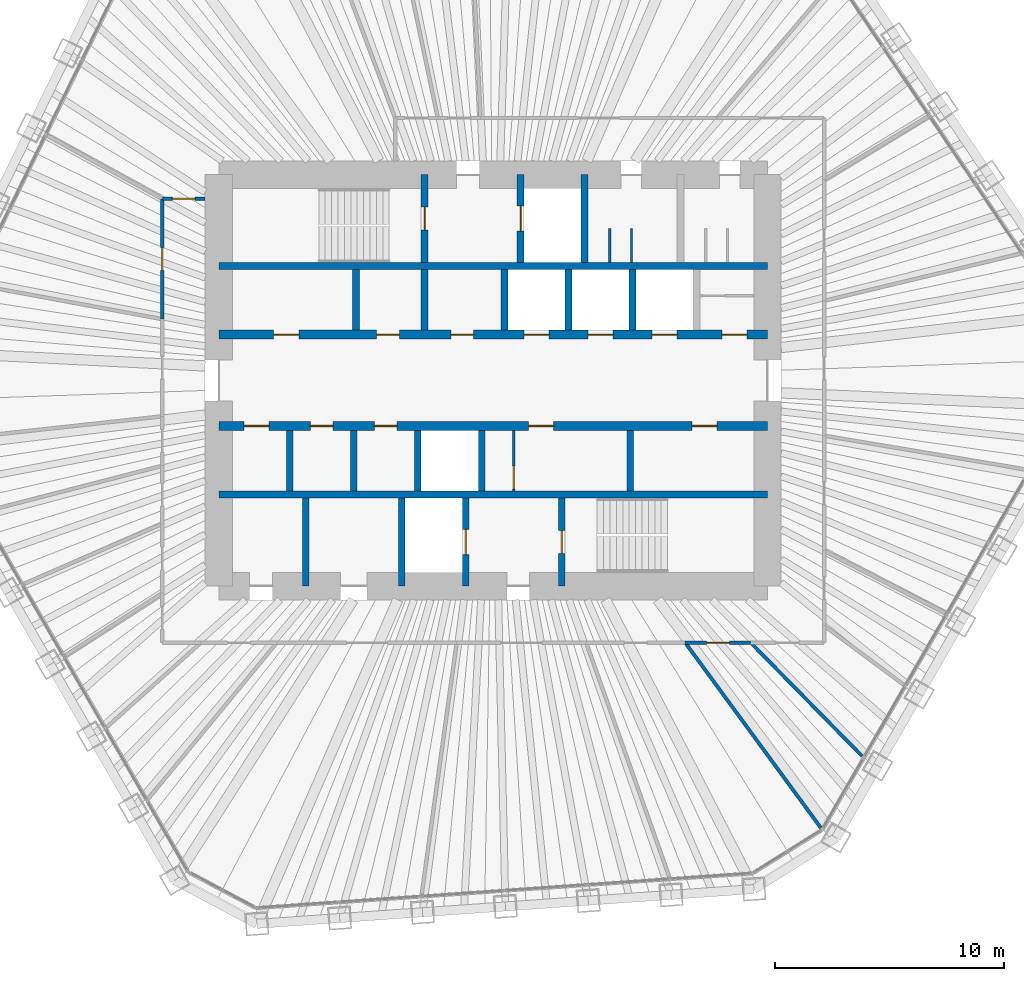
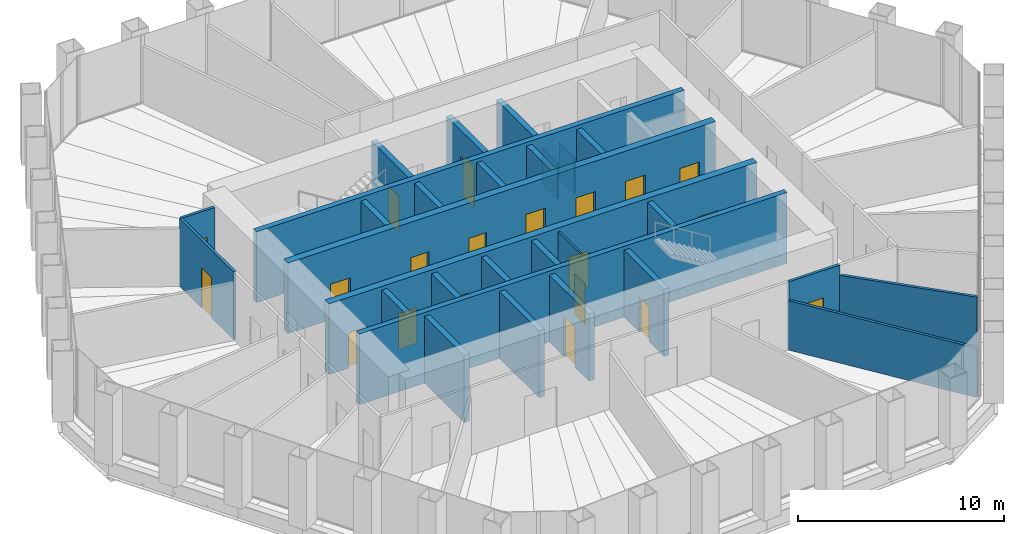
# One storey, part 11 of 14: 29 walls, 20 doors, 20 openings.
"""IFC4 building model written with IfcOpenShell, lengths in metres."""

from ifc_helpers import new_model, si_unit, direction, frame, frame_2d, origin, place, context, subcontext, project, spatial, rectangle, extrude, material, layer, layer_set, type_object, element, fill, save


model = new_model("IFC4")

# Units and contexts
model_context = context("Model", 3, precision=1e-05, world=origin(), true_north=direction((0.0, 1.0)))
body_context = subcontext(model_context, "Body", "Model", "MODEL_VIEW")
ifc_project = project(units=[si_unit("LENGTHUNIT", "METRE"), si_unit("AREAUNIT", "SQUARE_METRE"), si_unit("VOLUMEUNIT", "CUBIC_METRE"), si_unit("PLANEANGLEUNIT", "RADIAN"), si_unit("MASSUNIT", "GRAM", prefix="KILO")], contexts=[model_context])

# Site, building, storey
site_placement = place(None, origin())
site = spatial("IfcSite", under=ifc_project, at=site_placement, CompositionType="ELEMENT")
building_placement = place(site_placement, origin())
building = spatial("IfcBuilding", under=site, at=building_placement, Name="Qingtian Harvest Tower", CompositionType="ELEMENT")
storey_placement = place(building_placement, frame((0.0, 0.0, 239.199951171875)))
storey = spatial("IfcBuildingStorey", under=building, at=storey_placement, Name="L52", CompositionType="ELEMENT", Elevation=239.199951171875)

# Walls
ifc_material_1 = material(Name="Concrete fc' 70 MPa", Category="concrete")
ifc_layer_1 = layer(ifc_material_1, 0.300048828125)
ifc_layer_set_1 = layer_set([ifc_layer_1], Name="Core inner wall RC5 300")
wall_type_1 = type_object("IfcWallType", Name="Core inner wall RC5 300", PredefinedType="SHEAR", material=ifc_layer_set_1)
for number, where, z_axis, x_axis, name in (
    (1, (-12.0, 5.0, 0.0), (0.0, 0.0, 1.0), (1.0, 0.0, 0.0), "Core wall IN5 L52"),
    (2, (-12.0, -5.0, 0.0), (0.0, 0.0, 1.0), (1.0, 0.0, 0.0), "Core wall IS5 L52"),
):
    element("IfcWall", number, at=place(storey_placement, frame(where, z_axis=z_axis, x_axis=x_axis)), inside=storey, type_object=wall_type_1, Name=name, PredefinedType="SHEAR", context=body_context, shape_type="SweptSolid", body=[
        extrude(rectangle(XDim=24.0, YDim=0.300048828125, at=frame_2d((12.0, 0.0))), origin(), (0.0, 0.0, 1.0), 4.199951171875),
    ])

# Wall, openings, doors
ifc_material_2 = material(Name="Concrete fc' 70 MPa", Category="concrete")
ifc_layer_2 = layer(ifc_material_2, 0.39990234375)
ifc_layer_set_2 = layer_set([ifc_layer_2], Name="Core inner web RC6 400")
wall_type_2 = type_object("IfcWallType", Name="Core inner web RC6 400", PredefinedType="SHEAR", material=ifc_layer_set_2)
wall_1_placement = place(storey_placement, frame((-12.0, 2.0, 0.0), z_axis=(0.0, 0.0, 1.0), x_axis=(1.0, 0.0, 0.0)))
wall_1 = element("IfcWall", 3, at=wall_1_placement, inside=storey, type_object=wall_type_2, Name="Core wall IN2 L52", PredefinedType="SHEAR", context=body_context, shape_type="SweptSolid", body=[
    extrude(rectangle(XDim=24.0, YDim=0.39990234375, at=frame_2d((12.0, 0.0))), origin(), (0.0, 0.0, 1.0), 4.199951171875),
])
opening_1_placement = place(wall_1_placement, frame((2.39990234375, 0.0, 0.0)))
opening_1 = element("IfcOpeningElement", 4, at=opening_1_placement, cuts=wall_1, Name="Opening FD4", PredefinedType="OPENING", context=body_context, shape_type="SweptSolid", body=[
    extrude(rectangle(XDim=1.10009765625, YDim=2.10009765625, at=frame_2d((0.550048828125, 1.050048828125))), frame((0.0, 0.2099609375, 0.0), z_axis=(0.0, -1.0, 0.0), x_axis=(1.0, 0.0, 0.0)), (0.0, 0.0, 1.0), 0.419921875),
])
opening_2_placement = place(wall_1_placement, frame((22.0, 0.0, 0.0)))
opening_2 = element("IfcOpeningElement", 5, at=opening_2_placement, cuts=wall_1, Name="Opening FD4", PredefinedType="OPENING", context=body_context, shape_type="SweptSolid", body=[
    extrude(rectangle(XDim=1.10009765625, YDim=2.10009765625, at=frame_2d((0.550048828125, 1.050048828125))), frame((0.0, 0.2099609375, 0.0), z_axis=(0.0, -1.0, 0.0), x_axis=(1.0, 0.0, 0.0)), (0.0, 0.0, 1.0), 0.419921875),
])
opening_3_placement = place(wall_1_placement, frame((10.14990234375, 0.0, 0.0)))
opening_3 = element("IfcOpeningElement", 6, at=opening_3_placement, cuts=wall_1, Name="Opening FD1", PredefinedType="OPENING", context=body_context, shape_type="SweptSolid", body=[
    extrude(rectangle(XDim=1.0, YDim=2.10009765625, at=frame_2d((0.5, 1.050048828125))), frame((0.0, 0.2099609375, 0.0), z_axis=(0.0, -1.0, 0.0), x_axis=(1.0, 0.0, 0.0)), (0.0, 0.0, 1.0), 0.419921875),
])
opening_4_placement = place(wall_1_placement, frame((6.89990234375, 0.0, 0.0)))
opening_4 = element("IfcOpeningElement", 7, at=opening_4_placement, cuts=wall_1, Name="Opening FD1", PredefinedType="OPENING", context=body_context, shape_type="SweptSolid", body=[
    extrude(rectangle(XDim=1.0, YDim=2.10009765625, at=frame_2d((0.5, 1.050048828125))), frame((0.0, 0.2099609375, 0.0), z_axis=(0.0, -1.0, 0.0), x_axis=(1.0, 0.0, 0.0)), (0.0, 0.0, 1.0), 0.419921875),
])
opening_5_placement = place(wall_1_placement, frame((13.35009765625, 0.0, 0.0)))
opening_5 = element("IfcOpeningElement", 8, at=opening_5_placement, cuts=wall_1, Name="Opening LD1", PredefinedType="OPENING", context=body_context, shape_type="SweptSolid", body=[
    extrude(rectangle(XDim=1.10009765625, YDim=2.39990234375, at=frame_2d((0.550048828125, 1.199951171875))), frame((0.0, 0.2099609375, 0.0), z_axis=(0.0, -1.0, 0.0), x_axis=(1.0, 0.0, 0.0)), (0.0, 0.0, 1.0), 0.419921875),
])
opening_6_placement = place(wall_1_placement, frame((16.14990234375, 0.0, 0.0)))
opening_6 = element("IfcOpeningElement", 9, at=opening_6_placement, cuts=wall_1, Name="Opening LD1", PredefinedType="OPENING", context=body_context, shape_type="SweptSolid", body=[
    extrude(rectangle(XDim=1.10009765625, YDim=2.39990234375, at=frame_2d((0.550048828125, 1.199951171875))), frame((0.0, 0.2099609375, 0.0), z_axis=(0.0, -1.0, 0.0), x_axis=(1.0, 0.0, 0.0)), (0.0, 0.0, 1.0), 0.419921875),
])
opening_7_placement = place(wall_1_placement, frame((18.949951171875, 0.0, 0.0)))
opening_7 = element("IfcOpeningElement", 10, at=opening_7_placement, cuts=wall_1, Name="Opening LD1", PredefinedType="OPENING", context=body_context, shape_type="SweptSolid", body=[
    extrude(rectangle(XDim=1.10009765625, YDim=2.39990234375, at=frame_2d((0.550048828125, 1.199951171875))), frame((0.0, 0.2099609375, 0.0), z_axis=(0.0, -1.0, 0.0), x_axis=(1.0, 0.0, 0.0)), (0.0, 0.0, 1.0), 0.419921875),
])
ifc_material_3 = material(Name="Steel-faced door leaf", Category="steel")
door_type_1 = type_object("IfcDoorType", Name="Fire door FD1 single 1 HR", OperationType="SINGLE_SWING_LEFT", PredefinedType="DOOR", material=ifc_material_3)
door_1_placement = place(opening_3_placement, origin())
door_1 = element("IfcDoor", 11, at=door_1_placement, inside=storey, type_object=door_type_1, Name="STA door L52", OperationType="SINGLE_SWING_LEFT", OverallHeight=2.10009765625, OverallWidth=1.0, PredefinedType="DOOR", context=body_context, shape_type="SweptSolid", body=[
    extrude(rectangle(XDim=1.0, YDim=2.10009765625, at=frame_2d((0.5, 1.050048828125))), frame((0.0, 0.02490234375, 0.0), z_axis=(0.0, -1.0, 0.0), x_axis=(1.0, 0.0, 0.0)), (0.0, 0.0, 1.0), 0.050048828125),
])
fill(opening_3, door_1)
door_2_placement = place(opening_4_placement, origin())
door_2 = element("IfcDoor", 12, at=door_2_placement, inside=storey, type_object=door_type_1, Name="Store door L52", OperationType="SINGLE_SWING_LEFT", OverallHeight=2.10009765625, OverallWidth=1.0, PredefinedType="DOOR", context=body_context, shape_type="SweptSolid", body=[
    extrude(rectangle(XDim=1.0, YDim=2.10009765625, at=frame_2d((0.5, 1.050048828125))), frame((0.0, 0.02490234375, 0.0), z_axis=(0.0, -1.0, 0.0), x_axis=(1.0, 0.0, 0.0)), (0.0, 0.0, 1.0), 0.050048828125),
])
fill(opening_4, door_2)
ifc_material_4 = material(Name="Steel-faced door leaf", Category="steel")
door_type_2 = type_object("IfcDoorType", Name="Fire door FD4 single 2 HR", OperationType="SINGLE_SWING_LEFT", PredefinedType="DOOR", material=ifc_material_4)
door_3_placement = place(opening_1_placement, origin())
door_3 = element("IfcDoor", 13, at=door_3_placement, inside=storey, type_object=door_type_2, Name="RA door L52", OperationType="SINGLE_SWING_LEFT", OverallHeight=2.10009765625, OverallWidth=1.10009765625, PredefinedType="DOOR", context=body_context, shape_type="SweptSolid", body=[
    extrude(rectangle(XDim=1.10009765625, YDim=2.10009765625, at=frame_2d((0.550048828125, 1.050048828125))), frame((0.0, 0.02490234375, 0.0), z_axis=(0.0, -1.0, 0.0), x_axis=(1.0, 0.0, 0.0)), (0.0, 0.0, 1.0), 0.050048828125),
])
fill(opening_1, door_3)
door_4_placement = place(opening_2_placement, origin())
door_4 = element("IfcDoor", 14, at=door_4_placement, inside=storey, type_object=door_type_2, Name="AHU door L52", OperationType="SINGLE_SWING_RIGHT", OverallHeight=2.10009765625, OverallWidth=1.10009765625, PredefinedType="DOOR", context=body_context, shape_type="SweptSolid", body=[
    extrude(rectangle(XDim=1.10009765625, YDim=2.10009765625, at=frame_2d((0.550048828125, 1.050048828125))), frame((0.0, 0.02490234375, 0.0), z_axis=(0.0, -1.0, 0.0), x_axis=(1.0, 0.0, 0.0)), (0.0, 0.0, 1.0), 0.050048828125),
])
fill(opening_2, door_4)
ifc_material_5 = material(Name="Stainless steel lift landing door", Category="steel")
door_type_3 = type_object("IfcDoorType", Name="Lift landing door LD1 1 HR", OperationType="DOUBLE_DOOR_SLIDING", PredefinedType="DOOR", material=ifc_material_5)
door_5_placement = place(opening_5_placement, origin())
door_5 = element("IfcDoor", 15, at=door_5_placement, inside=storey, type_object=door_type_3, Name="PLC1 landing door L52", OperationType="DOUBLE_DOOR_SLIDING", OverallHeight=2.39990234375, OverallWidth=1.10009765625, PredefinedType="DOOR", context=body_context, shape_type="SweptSolid", body=[
    extrude(rectangle(XDim=1.10009765625, YDim=2.39990234375, at=frame_2d((0.550048828125, 1.199951171875))), frame((0.0, 0.02490234375, 0.0), z_axis=(0.0, -1.0, 0.0), x_axis=(1.0, 0.0, 0.0)), (0.0, 0.0, 1.0), 0.050048828125),
])
fill(opening_5, door_5)
door_6_placement = place(opening_6_placement, origin())
door_6 = element("IfcDoor", 16, at=door_6_placement, inside=storey, type_object=door_type_3, Name="PLC2 landing door L52", OperationType="DOUBLE_DOOR_SLIDING", OverallHeight=2.39990234375, OverallWidth=1.10009765625, PredefinedType="DOOR", context=body_context, shape_type="SweptSolid", body=[
    extrude(rectangle(XDim=1.10009765625, YDim=2.39990234375, at=frame_2d((0.550048828125, 1.199951171875))), frame((0.0, 0.02490234375, 0.0), z_axis=(0.0, -1.0, 0.0), x_axis=(1.0, 0.0, 0.0)), (0.0, 0.0, 1.0), 0.050048828125),
])
fill(opening_6, door_6)
door_7_placement = place(opening_7_placement, origin())
door_7 = element("IfcDoor", 17, at=door_7_placement, inside=storey, type_object=door_type_3, Name="PLC3 landing door L52", OperationType="DOUBLE_DOOR_SLIDING", OverallHeight=2.39990234375, OverallWidth=1.10009765625, PredefinedType="DOOR", context=body_context, shape_type="SweptSolid", body=[
    extrude(rectangle(XDim=1.10009765625, YDim=2.39990234375, at=frame_2d((0.550048828125, 1.199951171875))), frame((0.0, 0.02490234375, 0.0), z_axis=(0.0, -1.0, 0.0), x_axis=(1.0, 0.0, 0.0)), (0.0, 0.0, 1.0), 0.050048828125),
])
fill(opening_7, door_7)

wall_2_placement = place(storey_placement, frame((-12.0, -2.0, 0.0), z_axis=(0.0, 0.0, 1.0), x_axis=(1.0, 0.0, 0.0)))
wall_2 = element("IfcWall", 18, at=wall_2_placement, inside=storey, type_object=wall_type_2, Name="Core wall IS2 L52", PredefinedType="SHEAR", context=body_context, shape_type="SweptSolid", body=[
    extrude(rectangle(XDim=24.0, YDim=0.39990234375, at=frame_2d((12.0, 0.0))), origin(), (0.0, 0.0, 1.0), 4.199951171875),
])
opening_8_placement = place(wall_2_placement, frame((1.10009765625, 0.0, 0.0)))
opening_8 = element("IfcOpeningElement", 19, at=opening_8_placement, cuts=wall_2, Name="Opening FD4", PredefinedType="OPENING", context=body_context, shape_type="SweptSolid", body=[
    extrude(rectangle(XDim=1.10009765625, YDim=2.10009765625, at=frame_2d((0.550048828125, 1.050048828125))), frame((0.0, 0.2099609375, 0.0), z_axis=(0.0, -1.0, 0.0), x_axis=(1.0, 0.0, 0.0)), (0.0, 0.0, 1.0), 0.419921875),
])
opening_9_placement = place(wall_2_placement, frame((13.550048828125, 0.0, 0.0)))
opening_9 = element("IfcOpeningElement", 20, at=opening_9_placement, cuts=wall_2, Name="Opening FD4", PredefinedType="OPENING", context=body_context, shape_type="SweptSolid", body=[
    extrude(rectangle(XDim=1.10009765625, YDim=2.10009765625, at=frame_2d((0.550048828125, 1.050048828125))), frame((0.0, 0.2099609375, 0.0), z_axis=(0.0, -1.0, 0.0), x_axis=(1.0, 0.0, 0.0)), (0.0, 0.0, 1.0), 0.419921875),
])
opening_10_placement = place(wall_2_placement, frame((20.699951171875, 0.0, 0.0)))
opening_10 = element("IfcOpeningElement", 21, at=opening_10_placement, cuts=wall_2, Name="Opening FD4", PredefinedType="OPENING", context=body_context, shape_type="SweptSolid", body=[
    extrude(rectangle(XDim=1.10009765625, YDim=2.10009765625, at=frame_2d((0.550048828125, 1.050048828125))), frame((0.0, 0.2099609375, 0.0), z_axis=(0.0, -1.0, 0.0), x_axis=(1.0, 0.0, 0.0)), (0.0, 0.0, 1.0), 0.419921875),
])
opening_11_placement = place(wall_2_placement, frame((4.0, 0.0, 0.0)))
opening_11 = element("IfcOpeningElement", 22, at=opening_11_placement, cuts=wall_2, Name="Opening FD1", PredefinedType="OPENING", context=body_context, shape_type="SweptSolid", body=[
    extrude(rectangle(XDim=1.0, YDim=2.10009765625, at=frame_2d((0.5, 1.050048828125))), frame((0.0, 0.2099609375, 0.0), z_axis=(0.0, -1.0, 0.0), x_axis=(1.0, 0.0, 0.0)), (0.0, 0.0, 1.0), 0.419921875),
])
opening_12_placement = place(wall_2_placement, frame((6.800048828125, 0.0, 0.0)))
opening_12 = element("IfcOpeningElement", 23, at=opening_12_placement, cuts=wall_2, Name="Opening FD1", PredefinedType="OPENING", context=body_context, shape_type="SweptSolid", body=[
    extrude(rectangle(XDim=1.0, YDim=2.10009765625, at=frame_2d((0.5, 1.050048828125))), frame((0.0, 0.2099609375, 0.0), z_axis=(0.0, -1.0, 0.0), x_axis=(1.0, 0.0, 0.0)), (0.0, 0.0, 1.0), 0.419921875),
])
door_8_placement = place(opening_11_placement, origin())
door_8 = element("IfcDoor", 24, at=door_8_placement, inside=storey, type_object=door_type_1, Name="Staff WC door L52", OperationType="SINGLE_SWING_RIGHT", OverallHeight=2.10009765625, OverallWidth=1.0, PredefinedType="DOOR", context=body_context, shape_type="SweptSolid", body=[
    extrude(rectangle(XDim=1.0, YDim=2.10009765625, at=frame_2d((0.5, 1.050048828125))), frame((0.0, 0.02490234375, 0.0), z_axis=(0.0, -1.0, 0.0), x_axis=(1.0, 0.0, 0.0)), (0.0, 0.0, 1.0), 0.050048828125),
])
fill(opening_11, door_8)
door_9_placement = place(opening_12_placement, origin())
door_9 = element("IfcDoor", 25, at=door_9_placement, inside=storey, type_object=door_type_1, Name="Tea point door L52", OperationType="SINGLE_SWING_RIGHT", OverallHeight=2.10009765625, OverallWidth=1.0, PredefinedType="DOOR", context=body_context, shape_type="SweptSolid", body=[
    extrude(rectangle(XDim=1.0, YDim=2.10009765625, at=frame_2d((0.5, 1.050048828125))), frame((0.0, 0.02490234375, 0.0), z_axis=(0.0, -1.0, 0.0), x_axis=(1.0, 0.0, 0.0)), (0.0, 0.0, 1.0), 0.050048828125),
])
fill(opening_12, door_9)
door_10_placement = place(opening_8_placement, origin())
door_10 = element("IfcDoor", 26, at=door_10_placement, inside=storey, type_object=door_type_2, Name="RB door L52", OperationType="SINGLE_SWING_RIGHT", OverallHeight=2.10009765625, OverallWidth=1.10009765625, PredefinedType="DOOR", context=body_context, shape_type="SweptSolid", body=[
    extrude(rectangle(XDim=1.10009765625, YDim=2.10009765625, at=frame_2d((0.550048828125, 1.050048828125))), frame((0.0, 0.02490234375, 0.0), z_axis=(0.0, -1.0, 0.0), x_axis=(1.0, 0.0, 0.0)), (0.0, 0.0, 1.0), 0.050048828125),
])
fill(opening_8, door_10)
door_11_placement = place(opening_9_placement, origin())
door_11 = element("IfcDoor", 27, at=door_11_placement, inside=storey, type_object=door_type_2, Name="ELEC door L52", OperationType="SINGLE_SWING_LEFT", OverallHeight=2.10009765625, OverallWidth=1.10009765625, PredefinedType="DOOR", context=body_context, shape_type="SweptSolid", body=[
    extrude(rectangle(XDim=1.10009765625, YDim=2.10009765625, at=frame_2d((0.550048828125, 1.050048828125))), frame((0.0, 0.02490234375, 0.0), z_axis=(0.0, -1.0, 0.0), x_axis=(1.0, 0.0, 0.0)), (0.0, 0.0, 1.0), 0.050048828125),
])
fill(opening_9, door_11)
door_12_placement = place(opening_10_placement, origin())
door_12 = element("IfcDoor", 28, at=door_12_placement, inside=storey, type_object=door_type_2, Name="DUCT door L52", OperationType="SINGLE_SWING_LEFT", OverallHeight=2.10009765625, OverallWidth=1.10009765625, PredefinedType="DOOR", context=body_context, shape_type="SweptSolid", body=[
    extrude(rectangle(XDim=1.10009765625, YDim=2.10009765625, at=frame_2d((0.550048828125, 1.050048828125))), frame((0.0, 0.02490234375, 0.0), z_axis=(0.0, -1.0, 0.0), x_axis=(1.0, 0.0, 0.0)), (0.0, 0.0, 1.0), 0.050048828125),
])
fill(opening_10, door_12)

# Wall, opening, door
ifc_material_6 = material(Name="Precast concrete shaft panel", Category="concrete")
ifc_layer_3 = layer(ifc_material_6, 0.300048828125)
ifc_layer_set_3 = layer_set([ifc_layer_3], Name="Core shaft partition SW1 300")
wall_type_3 = type_object("IfcWallType", Name="Core shaft partition SW1 300", PredefinedType="PARTITIONING", material=ifc_layer_set_3)
wall_3_placement = place(storey_placement, frame((-3.0, 5.14990234375, 0.0), z_axis=(0.0, 0.0, 1.0), x_axis=(0.0, 1.0, 0.0)))
wall_3 = element("IfcWall", 29, at=wall_3_placement, inside=storey, type_object=wall_type_3, Name="Core shaft partition XN1 L52", PredefinedType="PARTITIONING", context=body_context, shape_type="SweptSolid", body=[
    extrude(rectangle(XDim=3.85009765625, YDim=0.300048828125, at=frame_2d((1.925048828125, 0.0))), origin(), (0.0, 0.0, 1.0), 3.97998046875),
])
opening_13_placement = place(wall_3_placement, frame((1.425048828125, 0.0, 0.0)))
opening_13 = element("IfcOpeningElement", 30, at=opening_13_placement, cuts=wall_3, Name="Opening FD1", PredefinedType="OPENING", context=body_context, shape_type="SweptSolid", body=[
    extrude(rectangle(XDim=1.0, YDim=2.10009765625, at=frame_2d((0.5, 1.050048828125))), frame((0.0, 0.159912109375, 0.0), z_axis=(0.0, -1.0, 0.0), x_axis=(1.0, 0.0, 0.0)), (0.0, 0.0, 1.0), 0.320068359375),
])
door_13_placement = place(opening_13_placement, origin())
door_13 = element("IfcDoor", 31, at=door_13_placement, inside=storey, type_object=door_type_1, Name="S1 door L52", OperationType="SINGLE_SWING_RIGHT", OverallHeight=2.10009765625, OverallWidth=1.0, PredefinedType="DOOR", context=body_context, shape_type="SweptSolid", body=[
    extrude(rectangle(XDim=1.0, YDim=2.10009765625, at=frame_2d((0.5, 1.050048828125))), frame((0.0, 0.02490234375, 0.0), z_axis=(0.0, -1.0, 0.0), x_axis=(1.0, 0.0, 0.0)), (0.0, 0.0, 1.0), 0.050048828125),
])
fill(opening_13, door_13)

wall_4_placement = place(storey_placement, frame((1.199951171875, 5.14990234375, 0.0), z_axis=(0.0, 0.0, 1.0), x_axis=(0.0, 1.0, 0.0)))
wall_4 = element("IfcWall", 32, at=wall_4_placement, inside=storey, type_object=wall_type_3, Name="Core shaft partition XN2 L52", PredefinedType="PARTITIONING", context=body_context, shape_type="SweptSolid", body=[
    extrude(rectangle(XDim=3.85009765625, YDim=0.300048828125, at=frame_2d((1.925048828125, 0.0))), origin(), (0.0, 0.0, 1.0), 3.97998046875),
])
opening_14_placement = place(wall_4_placement, frame((1.375, 0.0, 0.0)))
opening_14 = element("IfcOpeningElement", 33, at=opening_14_placement, cuts=wall_4, Name="Opening LD1", PredefinedType="OPENING", context=body_context, shape_type="SweptSolid", body=[
    extrude(rectangle(XDim=1.10009765625, YDim=2.39990234375, at=frame_2d((0.550048828125, 1.199951171875))), frame((0.0, 0.159912109375, 0.0), z_axis=(0.0, -1.0, 0.0), x_axis=(1.0, 0.0, 0.0)), (0.0, 0.0, 1.0), 0.320068359375),
])
door_14_placement = place(opening_14_placement, origin())
door_14 = element("IfcDoor", 34, at=door_14_placement, inside=storey, type_object=door_type_3, Name="FL1 landing door L52", OperationType="DOUBLE_DOOR_SLIDING", OverallHeight=2.39990234375, OverallWidth=1.10009765625, PredefinedType="DOOR", context=body_context, shape_type="SweptSolid", body=[
    extrude(rectangle(XDim=1.10009765625, YDim=2.39990234375, at=frame_2d((0.550048828125, 1.199951171875))), frame((0.0, 0.02490234375, 0.0), z_axis=(0.0, -1.0, 0.0), x_axis=(1.0, 0.0, 0.0)), (0.0, 0.0, 1.0), 0.050048828125),
])
fill(opening_14, door_14)

# Walls
wall_5_placement = place(storey_placement, frame((4.0, 5.14990234375, 0.0), z_axis=(0.0, 0.0, 1.0), x_axis=(0.0, 1.0, 0.0)))
element("IfcWall", 35, at=wall_5_placement, inside=storey, type_object=wall_type_3, Name="Core shaft partition XN3 L52", PredefinedType="PARTITIONING", context=body_context, shape_type="SweptSolid", body=[
    extrude(rectangle(XDim=3.85009765625, YDim=0.300048828125, at=frame_2d((1.925048828125, 0.0))), origin(), (0.0, 0.0, 1.0), 3.97998046875),
])
for number, where, z_axis, x_axis, name in (
    (36, (-6.0, 2.199951171875, 0.0), (0.0, 0.0, 1.0), (0.0, 1.0, 0.0), "Core shaft partition XA1 L52"),
    (37, (-3.0, 2.199951171875, 0.0), (0.0, 0.0, 1.0), (0.0, 1.0, 0.0), "Core shaft partition XA2 L52"),
    (38, (0.5, 2.199951171875, 0.0), (0.0, 0.0, 1.0), (0.0, 1.0, 0.0), "Core shaft partition XA3 L52"),
    (39, (3.300048828125, 2.199951171875, 0.0), (0.0, 0.0, 1.0), (0.0, 1.0, 0.0), "Core shaft partition XA4 L52"),
    (40, (6.10009765625, 2.199951171875, 0.0), (0.0, 0.0, 1.0), (0.0, 1.0, 0.0), "Core shaft partition XA5 L52"),
    (41, (-8.89990234375, -4.85009765625, 0.0), (0.0, 0.0, 1.0), (0.0, 1.0, 0.0), "Core shaft partition XB1 L52"),
    (42, (-6.10009765625, -4.85009765625, 0.0), (0.0, 0.0, 1.0), (0.0, 1.0, 0.0), "Core shaft partition XB2 L52"),
    (43, (-3.300048828125, -4.85009765625, 0.0), (0.0, 0.0, 1.0), (0.0, 1.0, 0.0), "Core shaft partition XB3 L52"),
    (44, (-0.5, -4.85009765625, 0.0), (0.0, 0.0, 1.0), (0.0, 1.0, 0.0), "Core shaft partition XB4 L52"),
    (45, (6.0, -4.85009765625, 0.0), (0.0, 0.0, 1.0), (0.0, 1.0, 0.0), "Core shaft partition XB5 L52"),
):
    element("IfcWall", number, at=place(storey_placement, frame(where, z_axis=z_axis, x_axis=x_axis)), inside=storey, type_object=wall_type_3, Name=name, PredefinedType="PARTITIONING", context=body_context, shape_type="SweptSolid", body=[
        extrude(rectangle(XDim=2.650146484375, YDim=0.300048828125, at=frame_2d((1.3251953125, 0.0))), origin(), (0.0, 0.0, 1.0), 3.97998046875),
    ])
for number, where, z_axis, x_axis, name in (
    (46, (-8.199951171875, -9.0, 0.0), (0.0, 0.0, 1.0), (0.0, 1.0, 0.0), "Core shaft partition XS1 L52"),
    (47, (-4.0, -9.0, 0.0), (0.0, 0.0, 1.0), (0.0, 1.0, 0.0), "Core shaft partition XS2 L52"),
):
    element("IfcWall", number, at=place(storey_placement, frame(where, z_axis=z_axis, x_axis=x_axis)), inside=storey, type_object=wall_type_3, Name=name, PredefinedType="PARTITIONING", context=body_context, shape_type="SweptSolid", body=[
        extrude(rectangle(XDim=3.85009765625, YDim=0.300048828125, at=frame_2d((1.925048828125, 0.0))), origin(), (0.0, 0.0, 1.0), 3.97998046875),
    ])

# Wall, opening, door
wall_6_placement = place(storey_placement, frame((-1.199951171875, -9.0, 0.0), z_axis=(0.0, 0.0, 1.0), x_axis=(0.0, 1.0, 0.0)))
wall_6 = element("IfcWall", 48, at=wall_6_placement, inside=storey, type_object=wall_type_3, Name="Core shaft partition XS3 L52", PredefinedType="PARTITIONING", context=body_context, shape_type="SweptSolid", body=[
    extrude(rectangle(XDim=3.85009765625, YDim=0.300048828125, at=frame_2d((1.925048828125, 0.0))), origin(), (0.0, 0.0, 1.0), 3.97998046875),
])
opening_15_placement = place(wall_6_placement, frame((1.375, 0.0, 0.0)))
opening_15 = element("IfcOpeningElement", 49, at=opening_15_placement, cuts=wall_6, Name="Opening LD1", PredefinedType="OPENING", context=body_context, shape_type="SweptSolid", body=[
    extrude(rectangle(XDim=1.10009765625, YDim=2.39990234375, at=frame_2d((0.550048828125, 1.199951171875))), frame((0.0, 0.159912109375, 0.0), z_axis=(0.0, -1.0, 0.0), x_axis=(1.0, 0.0, 0.0)), (0.0, 0.0, 1.0), 0.320068359375),
])
door_15_placement = place(opening_15_placement, origin())
door_15 = element("IfcDoor", 50, at=door_15_placement, inside=storey, type_object=door_type_3, Name="FL2 landing door L52", OperationType="DOUBLE_DOOR_SLIDING", OverallHeight=2.39990234375, OverallWidth=1.10009765625, PredefinedType="DOOR", context=body_context, shape_type="SweptSolid", body=[
    extrude(rectangle(XDim=1.10009765625, YDim=2.39990234375, at=frame_2d((0.550048828125, 1.199951171875))), frame((0.0, 0.02490234375, 0.0), z_axis=(0.0, -1.0, 0.0), x_axis=(1.0, 0.0, 0.0)), (0.0, 0.0, 1.0), 0.050048828125),
])
fill(opening_15, door_15)

wall_7_placement = place(storey_placement, frame((3.0, -9.0, 0.0), z_axis=(0.0, 0.0, 1.0), x_axis=(0.0, 1.0, 0.0)))
wall_7 = element("IfcWall", 51, at=wall_7_placement, inside=storey, type_object=wall_type_3, Name="Core shaft partition XS4 L52", PredefinedType="PARTITIONING", context=body_context, shape_type="SweptSolid", body=[
    extrude(rectangle(XDim=3.85009765625, YDim=0.300048828125, at=frame_2d((1.925048828125, 0.0))), origin(), (0.0, 0.0, 1.0), 3.97998046875),
])
opening_16_placement = place(wall_7_placement, frame((1.425048828125, 0.0, 0.0)))
opening_16 = element("IfcOpeningElement", 52, at=opening_16_placement, cuts=wall_7, Name="Opening FD1", PredefinedType="OPENING", context=body_context, shape_type="SweptSolid", body=[
    extrude(rectangle(XDim=1.0, YDim=2.10009765625, at=frame_2d((0.5, 1.050048828125))), frame((0.0, 0.159912109375, 0.0), z_axis=(0.0, -1.0, 0.0), x_axis=(1.0, 0.0, 0.0)), (0.0, 0.0, 1.0), 0.320068359375),
])
door_16_placement = place(opening_16_placement, origin())
door_16 = element("IfcDoor", 53, at=door_16_placement, inside=storey, type_object=door_type_1, Name="S2 door L52", OperationType="SINGLE_SWING_RIGHT", OverallHeight=2.10009765625, OverallWidth=1.0, PredefinedType="DOOR", context=body_context, shape_type="SweptSolid", body=[
    extrude(rectangle(XDim=1.0, YDim=2.10009765625, at=frame_2d((0.5, 1.050048828125))), frame((0.0, 0.02490234375, 0.0), z_axis=(0.0, -1.0, 0.0), x_axis=(1.0, 0.0, 0.0)), (0.0, 0.0, 1.0), 0.050048828125),
])
fill(opening_16, door_16)

ifc_material_7 = material(Name="Gypsum board on steel studs", Category="steel")
ifc_layer_4 = layer(ifc_material_7, 0.14990234375)
ifc_layer_set_4 = layer_set([ifc_layer_4], Name="Partition PT1 150")
wall_type_4 = type_object("IfcWallType", Name="Partition PT1 150", PredefinedType="PARTITIONING", material=ifc_layer_set_4)
wall_8_placement = place(storey_placement, frame((-14.47509765625, 2.67578125, 0.0), z_axis=(0.0, 0.0, 1.0), x_axis=(0.0, 1.0, 0.0)))
wall_8 = element("IfcWall", 54, at=wall_8_placement, inside=storey, type_object=wall_type_4, Name="Meeting room wall L52", PredefinedType="PARTITIONING", context=body_context, shape_type="SweptSolid", body=[
    extrude(rectangle(XDim=5.265625, YDim=0.14990234375, at=frame_2d((2.6328125, 0.0))), origin(), (0.0, 0.0, 1.0), 4.030029296875),
])
opening_17_placement = place(wall_8_placement, frame((2.1328125, 0.0, 0.0)))
opening_17 = element("IfcOpeningElement", 55, at=opening_17_placement, cuts=wall_8, Name="Opening D2", PredefinedType="OPENING", context=body_context, shape_type="SweptSolid", body=[
    extrude(rectangle(XDim=1.0, YDim=2.39990234375, at=frame_2d((0.5, 1.199951171875))), frame((0.0, 0.0849609375, 0.0), z_axis=(0.0, -1.0, 0.0), x_axis=(1.0, 0.0, 0.0)), (0.0, 0.0, 1.0), 0.169921875),
])
ifc_material_8 = material(Name="Laminated timber door leaf", Category="wood")
door_type_4 = type_object("IfcDoorType", Name="Room door D2 single", OperationType="SINGLE_SWING_LEFT", PredefinedType="DOOR", material=ifc_material_8)
door_17_placement = place(opening_17_placement, origin())
door_17 = element("IfcDoor", 56, at=door_17_placement, inside=storey, type_object=door_type_4, Name="Meeting room door L52", OperationType="SINGLE_SWING_LEFT", OverallHeight=2.39990234375, OverallWidth=1.0, PredefinedType="DOOR", context=body_context, shape_type="SweptSolid", body=[
    extrude(rectangle(XDim=1.0, YDim=2.39990234375, at=frame_2d((0.5, 1.199951171875))), frame((0.0, 0.02490234375, 0.0), z_axis=(0.0, -1.0, 0.0), x_axis=(1.0, 0.0, 0.0)), (0.0, 0.0, 1.0), 0.050048828125),
])
fill(opening_17, door_17)

wall_9_placement = place(storey_placement, frame((-14.47509765625, 7.94140625, 0.0), z_axis=(0.0, 0.0, 1.0), x_axis=(1.0, 0.0, 0.0)))
wall_9 = element("IfcWall", 57, at=wall_9_placement, inside=storey, type_object=wall_type_4, Name="Workplace zone wall L52", PredefinedType="PARTITIONING", context=body_context, shape_type="SweptSolid", body=[
    extrude(rectangle(XDim=1.875, YDim=0.14990234375, at=frame_2d((0.9375, 0.0))), origin(), (0.0, 0.0, 1.0), 4.030029296875),
])
opening_18_placement = place(wall_9_placement, frame((0.4375, 0.0, 0.0)))
opening_18 = element("IfcOpeningElement", 58, at=opening_18_placement, cuts=wall_9, Name="Opening D2", PredefinedType="OPENING", context=body_context, shape_type="SweptSolid", body=[
    extrude(rectangle(XDim=1.0, YDim=2.39990234375, at=frame_2d((0.5, 1.199951171875))), frame((0.0, 0.0849609375, 0.0), z_axis=(0.0, -1.0, 0.0), x_axis=(1.0, 0.0, 0.0)), (0.0, 0.0, 1.0), 0.169921875),
])
door_18_placement = place(opening_18_placement, origin())
door_18 = element("IfcDoor", 59, at=door_18_placement, inside=storey, type_object=door_type_4, Name="Workplace zone door L52", OperationType="SINGLE_SWING_LEFT", OverallHeight=2.39990234375, OverallWidth=1.0, PredefinedType="DOOR", context=body_context, shape_type="SweptSolid", body=[
    extrude(rectangle(XDim=1.0, YDim=2.39990234375, at=frame_2d((0.5, 1.199951171875))), frame((0.0, 0.02490234375, 0.0), z_axis=(0.0, -1.0, 0.0), x_axis=(1.0, 0.0, 0.0)), (0.0, 0.0, 1.0), 0.050048828125),
])
fill(opening_18, door_18)

# Wall
wall_10_placement = place(storey_placement, frame((16.14453125, -16.4443359375, 0.0), z_axis=(0.0, 0.0, 1.0), x_axis=(-0.700591378209, 0.71356269576, 0.0)))
element("IfcWall", 60, at=wall_10_placement, inside=storey, type_object=wall_type_4, Name="Private office wall L52", PredefinedType="PARTITIONING", context=body_context, shape_type="SweptSolid", body=[
    extrude(rectangle(XDim=6.9638671875, YDim=0.14990234375, at=frame_2d((3.48193359375, 0.0))), origin(), (0.0, 0.0, 1.0), 3.429931640625),
])

# Wall, opening, door
wall_11_placement = place(storey_placement, frame((11.265625, -11.47509765625, 0.0), z_axis=(0.0, 0.0, 1.0), x_axis=(-1.0, 0.0, 0.0)))
wall_11 = element("IfcWall", 61, at=wall_11_placement, inside=storey, type_object=wall_type_4, Name="Private office wall L52", PredefinedType="PARTITIONING", context=body_context, shape_type="SweptSolid", body=[
    extrude(rectangle(XDim=2.863037109375, YDim=0.14990234375, at=frame_2d((1.431640625, 0.0))), origin(), (0.0, 0.0, 1.0), 4.030029296875),
])
opening_19_placement = place(wall_11_placement, frame((0.931640625, 0.0, 0.0)))
opening_19 = element("IfcOpeningElement", 62, at=opening_19_placement, cuts=wall_11, Name="Opening D2", PredefinedType="OPENING", context=body_context, shape_type="SweptSolid", body=[
    extrude(rectangle(XDim=1.0, YDim=2.39990234375, at=frame_2d((0.5, 1.199951171875))), frame((0.0, 0.0849609375, 0.0), z_axis=(0.0, -1.0, 0.0), x_axis=(1.0, 0.0, 0.0)), (0.0, 0.0, 1.0), 0.169921875),
])
door_19_placement = place(opening_19_placement, origin())
door_19 = element("IfcDoor", 63, at=door_19_placement, inside=storey, type_object=door_type_4, Name="Private office door L52", OperationType="SINGLE_SWING_LEFT", OverallHeight=2.39990234375, OverallWidth=1.0, PredefinedType="DOOR", context=body_context, shape_type="SweptSolid", body=[
    extrude(rectangle(XDim=1.0, YDim=2.39990234375, at=frame_2d((0.5, 1.199951171875))), frame((0.0, 0.02490234375, 0.0), z_axis=(0.0, -1.0, 0.0), x_axis=(1.0, 0.0, 0.0)), (0.0, 0.0, 1.0), 0.050048828125),
])
fill(opening_19, door_19)

# Wall
wall_12_placement = place(storey_placement, frame((14.338623046875, -19.581787109375, 0.0), z_axis=(0.0, 0.0, 1.0), x_axis=(-0.590789413226, 0.806825798559, 0.0)))
element("IfcWall", 64, at=wall_12_placement, inside=storey, type_object=wall_type_4, Name="Private office wall L52", PredefinedType="PARTITIONING", context=body_context, shape_type="SweptSolid", body=[
    extrude(rectangle(XDim=10.047607421875, YDim=0.14990234375, at=frame_2d((5.02392578125, 0.0))), origin(), (0.0, 0.0, 1.0), 2.929931640625),
])

# Wall, opening, door
ifc_material_9 = material(Name="Concrete block partition", Category="concrete")
ifc_layer_5 = layer(ifc_material_9, 0.10009765625)
ifc_layer_set_5 = layer_set([ifc_layer_5], Name="Store partition PT3 100")
wall_type_5 = type_object("IfcWallType", Name="Store partition PT3 100", PredefinedType="PARTITIONING", material=ifc_layer_set_5)
wall_13_placement = place(storey_placement, frame((0.89990234375, -4.85009765625, 0.0), z_axis=(0.0, 0.0, 1.0), x_axis=(0.0, 1.0, 0.0)))
wall_13 = element("IfcWall", 65, at=wall_13_placement, inside=storey, type_object=wall_type_5, Name="Comms room wall L52", PredefinedType="PARTITIONING", context=body_context, shape_type="SweptSolid", body=[
    extrude(rectangle(XDim=2.650146484375, YDim=0.10009765625, at=frame_2d((1.3251953125, 0.0))), origin(), (0.0, 0.0, 1.0), 3.97998046875),
])
opening_20_placement = place(wall_13_placement, frame((0.10009765625, 0.0, 0.0)))
opening_20 = element("IfcOpeningElement", 66, at=opening_20_placement, cuts=wall_13, Name="Opening D2", PredefinedType="OPENING", context=body_context, shape_type="SweptSolid", body=[
    extrude(rectangle(XDim=1.0, YDim=2.39990234375, at=frame_2d((0.5, 1.199951171875))), frame((0.0, 0.06005859375, 0.0), z_axis=(0.0, -1.0, 0.0), x_axis=(1.0, 0.0, 0.0)), (0.0, 0.0, 1.0), 0.1201171875),
])
door_20_placement = place(opening_20_placement, origin())
door_20 = element("IfcDoor", 67, at=door_20_placement, inside=storey, type_object=door_type_4, Name="Comms room door L52", OperationType="SINGLE_SWING_RIGHT", OverallHeight=2.39990234375, OverallWidth=1.0, PredefinedType="DOOR", context=body_context, shape_type="SweptSolid", body=[
    extrude(rectangle(XDim=1.0, YDim=2.39990234375, at=frame_2d((0.5, 1.199951171875))), frame((0.0, 0.02490234375, 0.0), z_axis=(0.0, -1.0, 0.0), x_axis=(1.0, 0.0, 0.0)), (0.0, 0.0, 1.0), 0.050048828125),
])
fill(opening_20, door_20)

# Walls
ifc_material_10 = material(Name="Compact laminate cubicle partition", Category="plastic")
ifc_layer_6 = layer(ifc_material_10, 0.10009765625)
ifc_layer_set_6 = layer_set([ifc_layer_6], Name="WC cubicle partition WP1 100")
wall_type_6 = type_object("IfcWallType", Name="WC cubicle partition WP1 100", PredefinedType="PARTITIONING", material=ifc_layer_set_6)
for number, where, z_axis, x_axis, name in (
    (68, (5.10009765625, 5.14990234375, 0.0), (0.0, 0.0, 1.0), (0.0, 1.0, 0.0), "WC cubicle partition WCM L52"),
    (69, (6.050048828125, 5.14990234375, 0.0), (0.0, 0.0, 1.0), (0.0, 1.0, 0.0), "WC cubicle partition WCM L52"),
):
    element("IfcWall", number, at=place(storey_placement, frame(where, z_axis=z_axis, x_axis=x_axis)), inside=storey, type_object=wall_type_6, Name=name, PredefinedType="PARTITIONING", context=body_context, shape_type="SweptSolid", body=[
        extrude(rectangle(XDim=1.5, YDim=0.10009765625, at=frame_2d((0.75, 0.0))), origin(), (0.0, 0.0, 1.0), 2.10009765625),
    ])

save(model, "model.ifc")
